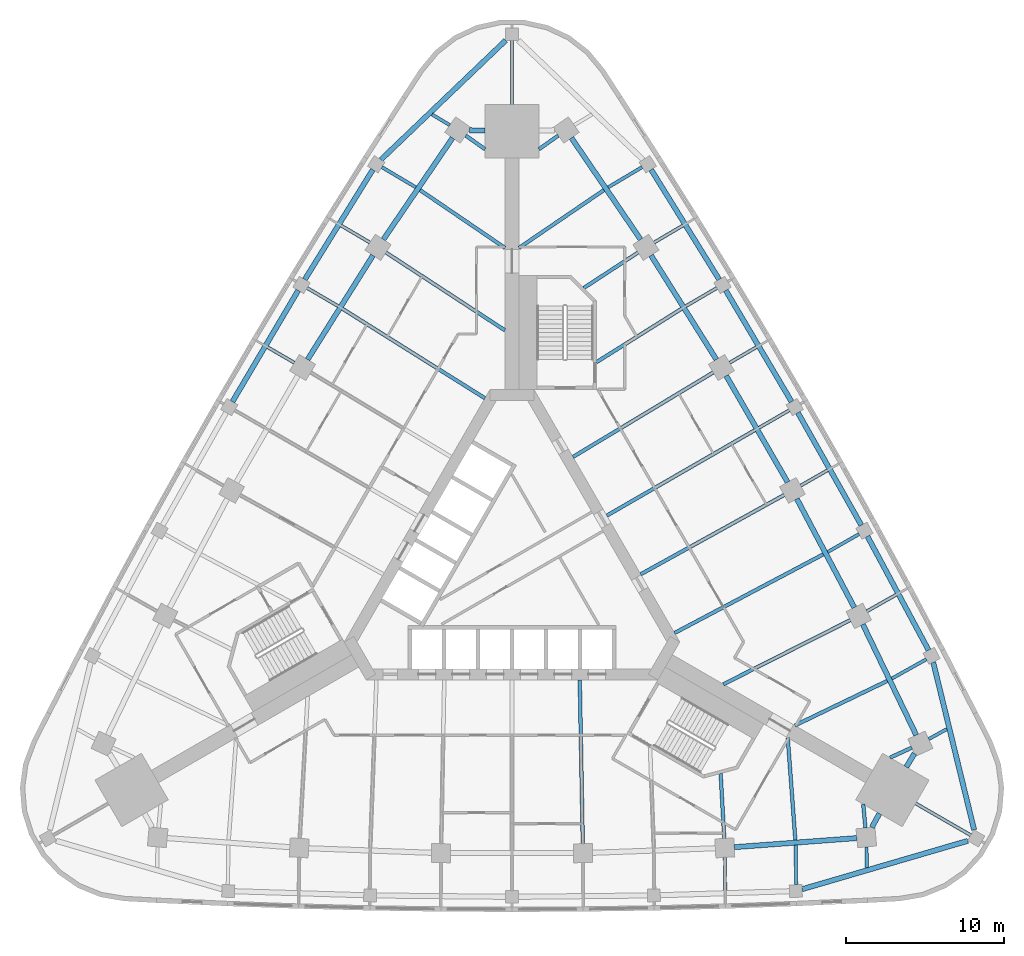
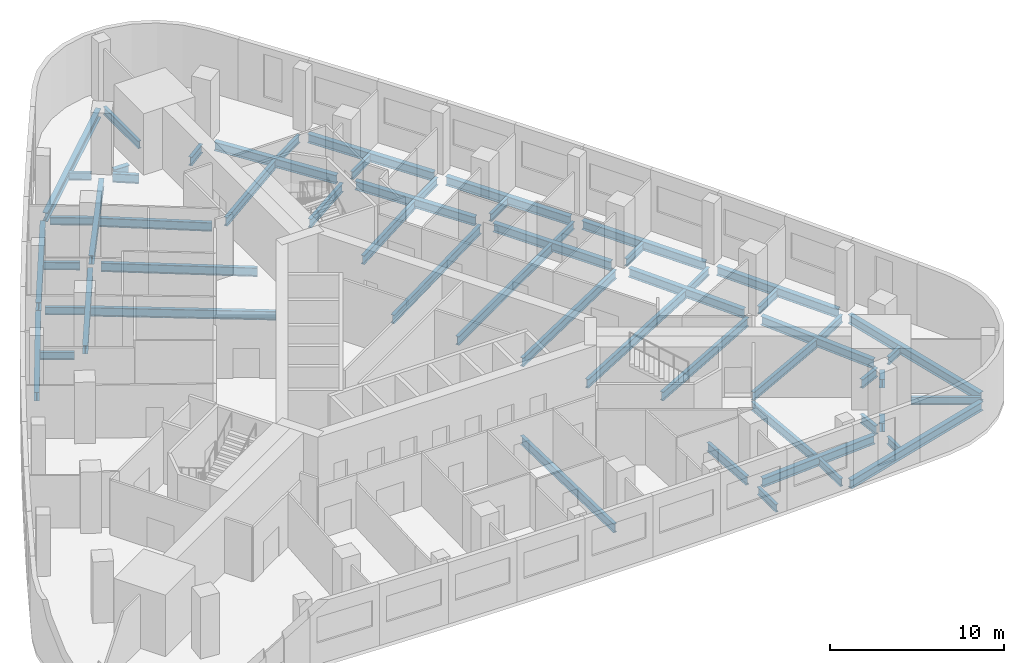
# One storey, part 2 of 11: 59 beams.
"""IFC4 building model written with IfcOpenShell, lengths in metres."""

from ifc_helpers import new_model, si_unit, direction, frame, origin, origin_2d, place, context, subcontext, project, spatial, i_section, extrude, material, material_profile, profile_set, type_object, element, save


model = new_model("IFC4")

# Units and contexts
model_context = context("Model", 3, precision=1e-05, world=origin(), true_north=direction((0.0, 1.0)))
body_context = subcontext(model_context, "Body", "Model", "MODEL_VIEW")
ifc_project = project(units=[si_unit("LENGTHUNIT", "METRE"), si_unit("AREAUNIT", "SQUARE_METRE"), si_unit("VOLUMEUNIT", "CUBIC_METRE"), si_unit("PLANEANGLEUNIT", "RADIAN"), si_unit("MASSUNIT", "GRAM", prefix="KILO")], contexts=[model_context])

# Site, building, storey
site_placement = place(None, origin())
site = spatial("IfcSite", under=ifc_project, at=site_placement, CompositionType="ELEMENT")
building_placement = place(site_placement, origin())
building = spatial("IfcBuilding", under=site, at=building_placement, Name="Noor Cloister Tower", CompositionType="ELEMENT")
storey_placement = place(building_placement, frame((0.0, 0.0, 19.5)))
storey = spatial("IfcBuildingStorey", under=building, at=storey_placement, Name="L04", CompositionType="ELEMENT", Elevation=19.5)

# Beams
ifc_material_1 = material(Name="Steel ASTM A992 Gr 50", Category="steel")
ifc_material_profile_1 = material_profile(ifc_material_1, i_section(OverallWidth=0.324951171875, OverallDepth=0.612060546875, WebThickness=0.0126953125, FlangeThickness=0.01904296875, FilletRadius=0.0126953125, at=origin_2d()), Name="W610x155")
ifc_profile_set_1 = profile_set([ifc_material_profile_1], Name="Steel ASTM A992 Gr 50")
beam_type_1 = type_object("IfcBeamType", Name="Podium column line beam W610x155", PredefinedType="BEAM", material=ifc_profile_set_1)
for number, where, z_axis, x_axis, name in (
    (1, (-3.7587890625, 27.36376953125, -0.555908203125), (-0.562836146896, -0.826568491867, 0.0), (0.826568491867, -0.562836146896, 0.0), "Podium column line beam NW 00 L04"),
    (2, (-8.7939453125, 19.9296875, -0.555908203125), (-0.531794830589, -0.846873224373, 0.0), (0.846873224373, -0.531794830589, 0.0), "Podium column line beam NW 02 L04"),
):
    element("IfcBeam", number, at=place(storey_placement, frame(where, z_axis=z_axis, x_axis=x_axis)), inside=storey, type_object=beam_type_1, Name=name, PredefinedType="BEAM", context=body_context, shape_type="SweptSolid", body=[
        extrude(i_section(OverallWidth=0.324951171875, OverallDepth=0.612060546875, WebThickness=0.0126953125, FlangeThickness=0.01904296875, FilletRadius=0.0126953125, at=origin_2d()), origin(), (0.0, 0.0, 1.0), 7.77880859375),
    ])
beam_1_placement = place(storey_placement, frame((14.060791015625, -17.513916015625, -0.555908203125), z_axis=(0.997246218275, 0.074161850945, 0.0), x_axis=(-0.074161850945, 0.997246218275, 0.0)))
element("IfcBeam", 3, at=beam_1_placement, inside=storey, type_object=beam_type_1, Name="Podium column line beam S 08 L04", PredefinedType="BEAM", context=body_context, shape_type="SweptSolid", body=[
    extrude(i_section(OverallWidth=0.324951171875, OverallDepth=0.612060546875, WebThickness=0.0126953125, FlangeThickness=0.01904296875, FilletRadius=0.0126953125, at=origin_2d()), origin(), (0.0, 0.0, 1.0), 7.779052734375),
])
for number, where, z_axis, x_axis, name in (
    (4, (25.5771484375, -10.4267578125, -0.555908203125), (-0.434400589533, 0.900719783181, 0.0), (-0.900719783181, -0.434400589533, 0.0), "Podium column line beam NE 00 L04"),
    (5, (21.65673828125, -2.34912109375, -0.555908203125), (-0.467547366886, 0.883968019624, 0.0), (-0.883968019624, -0.467547366886, 0.0), "Podium column line beam NE 02 L04"),
):
    element("IfcBeam", number, at=place(storey_placement, frame(where, z_axis=z_axis, x_axis=x_axis)), inside=storey, type_object=beam_type_1, Name=name, PredefinedType="BEAM", context=body_context, shape_type="SweptSolid", body=[
        extrude(i_section(OverallWidth=0.324951171875, OverallDepth=0.612060546875, WebThickness=0.0126953125, FlangeThickness=0.01904296875, FilletRadius=0.0126953125, at=origin_2d()), origin(), (0.0, 0.0, 1.0), 7.77880859375),
    ])
beam_2_placement = place(storey_placement, frame((17.439208984375, 5.577392578125, -0.555908203125), z_axis=(-0.499990506207, 0.866030884959, 0.0), x_axis=(-0.866030884959, -0.499990506207, 0.0)))
element("IfcBeam", 6, at=beam_2_placement, inside=storey, type_object=beam_type_1, Name="Podium column line beam NE 04 L04", PredefinedType="BEAM", context=body_context, shape_type="SweptSolid", body=[
    extrude(i_section(OverallWidth=0.324951171875, OverallDepth=0.612060546875, WebThickness=0.0126953125, FlangeThickness=0.01904296875, FilletRadius=0.0126953125, at=origin_2d()), origin(), (0.0, 0.0, 1.0), 7.779052734375),
])
for number, where, z_axis, x_axis, name in (
    (7, (12.9306640625, 13.342041015625, -0.555908203125), (-0.531794830589, 0.846873224373, 0.0), (-0.846873224373, -0.531794830589, 0.0), "Podium column line beam NE 06 L04"),
    (8, (8.136962890625, 20.93408203125, -0.555908203125), (-0.562836146896, 0.826568491867, 0.0), (-0.826568491867, -0.562836146896, 0.0), "Podium column line beam NE 08 L04"),
):
    element("IfcBeam", number, at=place(storey_placement, frame(where, z_axis=z_axis, x_axis=x_axis)), inside=storey, type_object=beam_type_1, Name=name, PredefinedType="BEAM", context=body_context, shape_type="SweptSolid", body=[
        extrude(i_section(OverallWidth=0.324951171875, OverallDepth=0.612060546875, WebThickness=0.0126953125, FlangeThickness=0.01904296875, FilletRadius=0.0126953125, at=origin_2d()), origin(), (0.0, 0.0, 1.0), 7.77880859375),
    ])
for number, where, z_axis, x_axis, name in (
    (9, (-2.6962890625, 27.8447265625, -0.555908203125), (0.999788233423, -0.020578831563, 0.0), (0.020578831563, 0.999788233423, 0.0), "Podium end beam NW 00 L04"),
    (10, (22.76611328125, -16.257568359375, -0.555908203125), (0.48185292196, 0.876252110753, 0.0), (-0.876252110753, 0.48185292196, 0.0), "Podium end beam S 10 L04"),
    (11, (25.46240234375, -11.58740234375, -0.555908203125), (-0.517698861359, -0.855562907651, 0.0), (0.855562907651, -0.517698861359, 0.0), "Podium end beam NE 00 L04"),
):
    element("IfcBeam", number, at=place(storey_placement, frame(where, z_axis=z_axis, x_axis=x_axis)), inside=storey, type_object=beam_type_1, Name=name, PredefinedType="BEAM", context=body_context, shape_type="SweptSolid", body=[
        extrude(i_section(OverallWidth=0.324951171875, OverallDepth=0.612060546875, WebThickness=0.0126953125, FlangeThickness=0.01904296875, FilletRadius=0.0126953125, at=origin_2d()), origin(), (0.0, 0.0, 1.0), 0.99658203125),
    ])
ifc_material_2 = material(Name="Steel ASTM A992 Gr 50", Category="steel")
ifc_material_profile_2 = material_profile(ifc_material_2, i_section(OverallWidth=0.324951171875, OverallDepth=0.616943359375, WebThickness=0.013916015625, FlangeThickness=0.021484375, FilletRadius=0.0126953125, at=origin_2d()), Name="W610x174")
ifc_profile_set_2 = profile_set([ifc_material_profile_2], Name="Steel ASTM A992 Gr 50")
beam_type_2 = type_object("IfcBeamType", Name="Podium perimeter beam W610x174", PredefinedType="BEAM", material=ifc_profile_set_2)
beam_3_placement = place(storey_placement, frame((-0.39990234375, 33.530517578125, -0.55859375), z_axis=(-0.722642827837, -0.691221631154, 0.0), x_axis=(0.691221631154, -0.722642827837, 0.0)))
element("IfcBeam", 12, at=beam_3_placement, inside=storey, type_object=beam_type_2, Name="Podium perimeter beam 01 L04", PredefinedType="BEAM", context=body_context, shape_type="SweptSolid", body=[
    extrude(i_section(OverallWidth=0.324951171875, OverallDepth=0.616943359375, WebThickness=0.013916015625, FlangeThickness=0.021484375, FilletRadius=0.0126953125, at=origin_2d()), origin(), (0.0, 0.0, 1.0), 10.924560546875),
])
beam_4_placement = place(storey_placement, frame((-8.802978515625, 25.3544921875, -0.55859375), z_axis=(-0.526431670639, -0.85021744051, 0.0), x_axis=(0.85021744051, -0.526431670639, 0.0)))
element("IfcBeam", 13, at=beam_4_placement, inside=storey, type_object=beam_type_2, Name="Podium perimeter beam 02 L04", PredefinedType="BEAM", context=body_context, shape_type="SweptSolid", body=[
    extrude(i_section(OverallWidth=0.324951171875, OverallDepth=0.616943359375, WebThickness=0.013916015625, FlangeThickness=0.021484375, FilletRadius=0.0126953125, at=origin_2d()), origin(), (0.0, 0.0, 1.0), 8.180419921875),
])
beam_5_placement = place(storey_placement, frame((-13.5234375, 17.71484375, -0.55859375), z_axis=(-0.508871084259, -0.860842738022, 0.0), x_axis=(0.860842738022, -0.508871084259, 0.0)))
element("IfcBeam", 14, at=beam_5_placement, inside=storey, type_object=beam_type_2, Name="Podium perimeter beam 03 L04", PredefinedType="BEAM", context=body_context, shape_type="SweptSolid", body=[
    extrude(i_section(OverallWidth=0.324951171875, OverallDepth=0.616943359375, WebThickness=0.013916015625, FlangeThickness=0.021484375, FilletRadius=0.0126953125, at=origin_2d()), origin(), (0.0, 0.0, 1.0), 8.18017578125),
])
for number, where, z_axis, x_axis, name in (
    (15, (18.3515625, -20.1728515625, -0.55859375), (0.959935397728, 0.280221398522, 0.0), (-0.280221398522, 0.959935397728, 0.0), "Podium perimeter beam 12 L04"),
    (16, (29.23828125, -16.4189453125, -0.55859375), (-0.237289539542, 0.971438971024, 0.0), (-0.971438971024, -0.237289539542, 0.0), "Podium perimeter beam 13 L04"),
):
    element("IfcBeam", number, at=place(storey_placement, frame(where, z_axis=z_axis, x_axis=x_axis)), inside=storey, type_object=beam_type_2, Name=name, PredefinedType="BEAM", context=body_context, shape_type="SweptSolid", body=[
        extrude(i_section(OverallWidth=0.324951171875, OverallDepth=0.616943359375, WebThickness=0.013916015625, FlangeThickness=0.021484375, FilletRadius=0.0126953125, at=origin_2d()), origin(), (0.0, 0.0, 1.0), 10.924560546875),
    ])
for number, where, z_axis, x_axis, name in (
    (17, (26.35888671875, -5.0537109375, -0.55859375), (-0.47307258725, 0.881023454394, 0.0), (-0.881023454394, -0.47307258725, 0.0), "Podium perimeter beam 14 L04"),
    (18, (22.103271484375, 2.854248046875, -0.55859375), (-0.491071539523, 0.871119247331, 0.0), (-0.871119247331, -0.491071539523, 0.0), "Podium perimeter beam 15 L04"),
    (19, (17.68603515625, 10.673095703125, -0.55859375), (-0.508871084259, 0.860842738022, 0.0), (-0.860842738022, -0.508871084259, 0.0), "Podium perimeter beam 16 L04"),
):
    element("IfcBeam", number, at=place(storey_placement, frame(where, z_axis=z_axis, x_axis=x_axis)), inside=storey, type_object=beam_type_2, Name=name, PredefinedType="BEAM", context=body_context, shape_type="SweptSolid", body=[
        extrude(i_section(OverallWidth=0.324951171875, OverallDepth=0.616943359375, WebThickness=0.013916015625, FlangeThickness=0.021484375, FilletRadius=0.0126953125, at=origin_2d()), origin(), (0.0, 0.0, 1.0), 8.18017578125),
    ])
beam_6_placement = place(storey_placement, frame((13.109375, 18.3994140625, -0.55859375), z_axis=(-0.526431670639, 0.85021744051, 0.0), x_axis=(-0.85021744051, -0.526431670639, 0.0)))
element("IfcBeam", 20, at=beam_6_placement, inside=storey, type_object=beam_type_2, Name="Podium perimeter beam 17 L04", PredefinedType="BEAM", context=body_context, shape_type="SweptSolid", body=[
    extrude(i_section(OverallWidth=0.324951171875, OverallDepth=0.616943359375, WebThickness=0.013916015625, FlangeThickness=0.021484375, FilletRadius=0.0126953125, at=origin_2d()), origin(), (0.0, 0.0, 1.0), 8.180419921875),
])
ifc_material_3 = material(Name="Steel ASTM A992 Gr 50", Category="steel")
ifc_material_profile_3 = material_profile(ifc_material_3, i_section(OverallWidth=0.22900390625, OverallDepth=0.612060546875, WebThickness=0.011962890625, FlangeThickness=0.01953125, FilletRadius=0.0126953125, at=origin_2d()), Name="W610x125")
ifc_profile_set_3 = profile_set([ifc_material_profile_3], Name="Steel ASTM A992 Gr 50")
beam_type_3 = type_object("IfcBeamType", Name="Podium radial beam W610x125", PredefinedType="BEAM", material=ifc_profile_set_3)
beam_7_placement = place(storey_placement, frame((-2.931396484375, 27.512939453125, -0.555908203125), z_axis=(0.816011763041, -0.578035295271, 0.0), x_axis=(0.578035295271, 0.816011763041, 0.0)))
element("IfcBeam", 21, at=beam_7_placement, inside=storey, type_object=beam_type_3, Name="Podium radial beam NW 00 L04", PredefinedType="BEAM", context=body_context, shape_type="SweptSolid", body=[
    extrude(i_section(OverallWidth=0.22900390625, OverallDepth=0.612060546875, WebThickness=0.011962890625, FlangeThickness=0.01953125, FilletRadius=0.0126953125, at=origin_2d()), origin(), (0.0, 0.0, 1.0), 1.509033203125),
])
beam_8_placement = place(storey_placement, frame((-5.813720703125, 24.057373046875, -0.555908203125), z_axis=(0.826586958388, -0.562809026423, 0.0), x_axis=(0.562809026423, 0.826586958388, 0.0)))
element("IfcBeam", 22, at=beam_8_placement, inside=storey, type_object=beam_type_3, Name="Podium radial beam NW 01 L04", PredefinedType="BEAM", context=body_context, shape_type="SweptSolid", body=[
    extrude(i_section(OverallWidth=0.22900390625, OverallDepth=0.612060546875, WebThickness=0.011962890625, FlangeThickness=0.01953125, FilletRadius=0.0126953125, at=origin_2d()), origin(), (0.0, 0.0, 1.0), 6.489013671875),
])
beam_9_placement = place(storey_placement, frame((-7.97265625, 20.109619140625, -0.555908203125), z_axis=(0.836869601911, -0.547402292101, 0.0), x_axis=(0.547402292101, 0.836869601911, 0.0)))
element("IfcBeam", 23, at=beam_9_placement, inside=storey, type_object=beam_type_3, Name="Podium radial beam NW 02 L04", PredefinedType="BEAM", context=body_context, shape_type="SweptSolid", body=[
    extrude(i_section(OverallWidth=0.22900390625, OverallDepth=0.612060546875, WebThickness=0.011962890625, FlangeThickness=0.01953125, FilletRadius=0.0126953125, at=origin_2d()), origin(), (0.0, 0.0, 1.0), 8.989013671875),
])
beam_10_placement = place(storey_placement, frame((-10.724609375, 16.549560546875, -0.555908203125), z_axis=(0.846875091453, -0.531791857287, 0.0), x_axis=(0.531791857287, 0.846875091453, 0.0)))
element("IfcBeam", 24, at=beam_10_placement, inside=storey, type_object=beam_type_3, Name="Podium radial beam NW 03 L04", PredefinedType="BEAM", context=body_context, shape_type="SweptSolid", body=[
    extrude(i_section(OverallWidth=0.22900390625, OverallDepth=0.612060546875, WebThickness=0.011962890625, FlangeThickness=0.01953125, FilletRadius=0.0126953125, at=origin_2d()), origin(), (0.0, 0.0, 1.0), 10.6416015625),
])
beam_11_placement = place(storey_placement, frame((4.478515625, -17.29150390625, -0.555908203125), z_axis=(-0.018560692037, 0.999827735518, 0.0), x_axis=(-0.999827735518, -0.018560692037, 0.0)))
element("IfcBeam", 25, at=beam_11_placement, inside=storey, type_object=beam_type_3, Name="Podium radial beam S 06 L04", PredefinedType="BEAM", context=body_context, shape_type="SweptSolid", body=[
    extrude(i_section(OverallWidth=0.22900390625, OverallDepth=0.612060546875, WebThickness=0.011962890625, FlangeThickness=0.01953125, FilletRadius=0.0126953125, at=origin_2d()), origin(), (0.0, 0.0, 1.0), 10.364990234375),
])
beam_12_placement = place(storey_placement, frame((13.428955078125, -16.959228515625, -0.555908203125), z_axis=(-0.055591728913, 0.998453584137, 0.0), x_axis=(-0.998453584137, -0.055591728913, 0.0)))
element("IfcBeam", 26, at=beam_12_placement, inside=storey, type_object=beam_type_3, Name="Podium radial beam S 08 L04", PredefinedType="BEAM", context=body_context, shape_type="SweptSolid", body=[
    extrude(i_section(OverallWidth=0.22900390625, OverallDepth=0.612060546875, WebThickness=0.011962890625, FlangeThickness=0.01953125, FilletRadius=0.0126953125, at=origin_2d()), origin(), (0.0, 0.0, 1.0), 4.110595703125),
])
beam_13_placement = place(storey_placement, frame((17.927490234375, -17.0634765625, -0.555908203125), z_axis=(-0.074118366359, 0.997249451125, 0.0), x_axis=(-0.997249451125, -0.074118366359, 0.0)))
element("IfcBeam", 27, at=beam_13_placement, inside=storey, type_object=beam_type_3, Name="Podium radial beam S 09 L04", PredefinedType="BEAM", context=body_context, shape_type="SweptSolid", body=[
    extrude(i_section(OverallWidth=0.22900390625, OverallDepth=0.612060546875, WebThickness=0.011962890625, FlangeThickness=0.01953125, FilletRadius=0.0126953125, at=origin_2d()), origin(), (0.0, 0.0, 1.0), 6.489013671875),
])
for number, where, z_axis, x_axis, name in (
    (28, (22.361328125, -16.295166015625, -0.555908203125), (-0.09269423525, 0.995694621233, 0.0), (-0.995694621233, -0.09269423525, 0.0), "Podium radial beam S 10 L04"),
    (29, (25.292724609375, -11.2177734375, -0.555908203125), (-0.908602193803, -0.417662607157, 0.0), (0.417662607157, -0.908602193803, 0.0), "Podium radial beam NE 00 L04"),
):
    element("IfcBeam", number, at=place(storey_placement, frame(where, z_axis=z_axis, x_axis=x_axis)), inside=storey, type_object=beam_type_3, Name=name, PredefinedType="BEAM", context=body_context, shape_type="SweptSolid", body=[
        extrude(i_section(OverallWidth=0.22900390625, OverallDepth=0.612060546875, WebThickness=0.011962890625, FlangeThickness=0.01953125, FilletRadius=0.0126953125, at=origin_2d()), origin(), (0.0, 0.0, 1.0), 1.50927734375),
    ])
beam_14_placement = place(storey_placement, frame((23.7412109375, -6.993896484375, -0.555908203125), z_axis=(-0.900702438264, -0.43443655199, 0.0), x_axis=(0.43443655199, -0.900702438264, 0.0)))
element("IfcBeam", 30, at=beam_14_placement, inside=storey, type_object=beam_type_3, Name="Podium radial beam NE 01 L04", PredefinedType="BEAM", context=body_context, shape_type="SweptSolid", body=[
    extrude(i_section(OverallWidth=0.22900390625, OverallDepth=0.612060546875, WebThickness=0.011962890625, FlangeThickness=0.01953125, FilletRadius=0.0126953125, at=origin_2d()), origin(), (0.0, 0.0, 1.0), 6.489013671875),
])
beam_15_placement = place(storey_placement, frame((21.401611328125, -3.150146484375, -0.555908203125), z_axis=(-0.892490546955, -0.451066096705, 0.0), x_axis=(0.451066096705, -0.892490546955, 0.0)))
element("IfcBeam", 31, at=beam_15_placement, inside=storey, type_object=beam_type_3, Name="Podium radial beam NE 02 L04", PredefinedType="BEAM", context=body_context, shape_type="SweptSolid", body=[
    extrude(i_section(OverallWidth=0.22900390625, OverallDepth=0.612060546875, WebThickness=0.011962890625, FlangeThickness=0.01953125, FilletRadius=0.0126953125, at=origin_2d()), origin(), (0.0, 0.0, 1.0), 8.989013671875),
])
beam_16_placement = place(storey_placement, frame((19.694580078125, 1.01318359375, -0.555908203125), z_axis=(-0.883975349121, -0.467533509116, 0.0), x_axis=(0.467533509116, -0.883975349121, 0.0)))
element("IfcBeam", 32, at=beam_16_placement, inside=storey, type_object=beam_type_3, Name="Podium radial beam NE 03 L04", PredefinedType="BEAM", context=body_context, shape_type="SweptSolid", body=[
    extrude(i_section(OverallWidth=0.22900390625, OverallDepth=0.612060546875, WebThickness=0.011962890625, FlangeThickness=0.01953125, FilletRadius=0.0126953125, at=origin_2d()), origin(), (0.0, 0.0, 1.0), 10.6416015625),
])
beam_17_placement = place(storey_placement, frame((17.214111328125, 4.767333984375, -0.555908203125), z_axis=(-0.875152039929, -0.483848020568, 0.0), x_axis=(0.483848020568, -0.875152039929, 0.0)))
element("IfcBeam", 33, at=beam_17_placement, inside=storey, type_object=beam_type_3, Name="Podium radial beam NE 04 L04", PredefinedType="BEAM", context=body_context, shape_type="SweptSolid", body=[
    extrude(i_section(OverallWidth=0.22900390625, OverallDepth=0.612060546875, WebThickness=0.011962890625, FlangeThickness=0.01953125, FilletRadius=0.0126953125, at=origin_2d()), origin(), (0.0, 0.0, 1.0), 10.364990234375),
])
beam_18_placement = place(storey_placement, frame((15.353759765625, 8.864501953125, -0.555908203125), z_axis=(-0.866025607992, -0.499999646302, 0.0), x_axis=(0.499999646302, -0.866025607992, 0.0)))
element("IfcBeam", 34, at=beam_18_placement, inside=storey, type_object=beam_type_3, Name="Podium radial beam NE 05 L04", PredefinedType="BEAM", context=body_context, shape_type="SweptSolid", body=[
    extrude(i_section(OverallWidth=0.22900390625, OverallDepth=0.612060546875, WebThickness=0.011962890625, FlangeThickness=0.01953125, FilletRadius=0.0126953125, at=origin_2d()), origin(), (0.0, 0.0, 1.0), 10.80078125),
])
beam_19_placement = place(storey_placement, frame((12.73583984375, 12.524169921875, -0.555908203125), z_axis=(-0.856606308575, -0.515970572911, 0.0), x_axis=(0.515970572911, -0.856606308575, 0.0)))
element("IfcBeam", 35, at=beam_19_placement, inside=storey, type_object=beam_type_3, Name="Podium radial beam NE 06 L04", PredefinedType="BEAM", context=body_context, shape_type="SweptSolid", body=[
    extrude(i_section(OverallWidth=0.22900390625, OverallDepth=0.612060546875, WebThickness=0.011962890625, FlangeThickness=0.01953125, FilletRadius=0.0126953125, at=origin_2d()), origin(), (0.0, 0.0, 1.0), 10.365234375),
])
beam_20_placement = place(storey_placement, frame((10.724609375, 16.549560546875, -0.555908203125), z_axis=(-0.846869093356, -0.531801409098, 0.0), x_axis=(0.531801409098, -0.846869093356, 0.0)))
element("IfcBeam", 36, at=beam_20_placement, inside=storey, type_object=beam_type_3, Name="Podium radial beam NE 07 L04", PredefinedType="BEAM", context=body_context, shape_type="SweptSolid", body=[
    extrude(i_section(OverallWidth=0.22900390625, OverallDepth=0.612060546875, WebThickness=0.011962890625, FlangeThickness=0.01953125, FilletRadius=0.0126953125, at=origin_2d()), origin(), (0.0, 0.0, 1.0), 6.36328125),
])
beam_21_placement = place(storey_placement, frame((7.97265625, 20.109619140625, -0.555908203125), z_axis=(-0.836852408304, -0.547428576816, 0.0), x_axis=(0.547428576816, -0.836852408304, 0.0)))
element("IfcBeam", 37, at=beam_21_placement, inside=storey, type_object=beam_type_3, Name="Podium radial beam NE 08 L04", PredefinedType="BEAM", context=body_context, shape_type="SweptSolid", body=[
    extrude(i_section(OverallWidth=0.22900390625, OverallDepth=0.612060546875, WebThickness=0.011962890625, FlangeThickness=0.01953125, FilletRadius=0.0126953125, at=origin_2d()), origin(), (0.0, 0.0, 1.0), 4.110595703125),
])
beam_22_placement = place(storey_placement, frame((5.813720703125, 24.057373046875, -0.555908203125), z_axis=(-0.826586958388, -0.562809026423, 0.0), x_axis=(0.562809026423, -0.826586958388, 0.0)))
element("IfcBeam", 38, at=beam_22_placement, inside=storey, type_object=beam_type_3, Name="Podium radial beam NE 09 L04", PredefinedType="BEAM", context=body_context, shape_type="SweptSolid", body=[
    extrude(i_section(OverallWidth=0.22900390625, OverallDepth=0.612060546875, WebThickness=0.011962890625, FlangeThickness=0.01953125, FilletRadius=0.0126953125, at=origin_2d()), origin(), (0.0, 0.0, 1.0), 6.489013671875),
])
beam_23_placement = place(storey_placement, frame((2.931396484375, 27.512939453125, -0.555908203125), z_axis=(-0.816011763041, -0.578035295271, 0.0), x_axis=(0.578035295271, -0.816011763041, 0.0)))
element("IfcBeam", 39, at=beam_23_placement, inside=storey, type_object=beam_type_3, Name="Podium radial beam NE 10 L04", PredefinedType="BEAM", context=body_context, shape_type="SweptSolid", body=[
    extrude(i_section(OverallWidth=0.22900390625, OverallDepth=0.612060546875, WebThickness=0.011962890625, FlangeThickness=0.01953125, FilletRadius=0.0126953125, at=origin_2d()), origin(), (0.0, 0.0, 1.0), 1.509033203125),
])
ifc_material_4 = material(Name="Steel ASTM A992 Gr 50", Category="steel")
ifc_material_profile_4 = material_profile(ifc_material_4, i_section(OverallWidth=0.208984375, OverallDepth=0.532958984375, WebThickness=0.01025390625, FlangeThickness=0.015625, FilletRadius=0.0126953125, at=origin_2d()), Name="W530x92")
ifc_profile_set_4 = profile_set([ifc_material_profile_4], Name="Steel ASTM A992 Gr 50")
beam_type_4 = type_object("IfcBeamType", Name="Podium stub beam W530x92", PredefinedType="BEAM", material=ifc_profile_set_4)
beam_24_placement = place(storey_placement, frame((-3.936767578125, 28.169921875, -0.5166015625), z_axis=(-0.85703318355, 0.515261217534, 0.0), x_axis=(-0.515261217534, -0.85703318355, 0.0)))
element("IfcBeam", 40, at=beam_24_placement, inside=storey, type_object=beam_type_4, Name="Podium stub beam NW 00 L04", PredefinedType="BEAM", context=body_context, shape_type="SweptSolid", body=[
    extrude(i_section(OverallWidth=0.208984375, OverallDepth=0.532958984375, WebThickness=0.01025390625, FlangeThickness=0.015625, FilletRadius=0.0126953125, at=origin_2d()), origin(), (0.0, 0.0, 1.0), 1.31298828125),
])
beam_25_placement = place(storey_placement, frame((-6.08642578125, 24.234375, -0.5166015625), z_axis=(-0.859392031869, 0.511317255292, 0.0), x_axis=(-0.511317255292, -0.859392031869, 0.0)))
element("IfcBeam", 41, at=beam_25_placement, inside=storey, type_object=beam_type_4, Name="Podium stub beam NW 01 L04", PredefinedType="BEAM", context=body_context, shape_type="SweptSolid", body=[
    extrude(i_section(OverallWidth=0.208984375, OverallDepth=0.532958984375, WebThickness=0.01025390625, FlangeThickness=0.015625, FilletRadius=0.0126953125, at=origin_2d()), origin(), (0.0, 0.0, 1.0), 2.4990234375),
])
beam_26_placement = place(storey_placement, frame((-8.9921875, 20.7431640625, -0.5166015625), z_axis=(-0.861388026726, 0.507947504583, 0.0), x_axis=(-0.507947504583, -0.861388026726, 0.0)))
element("IfcBeam", 42, at=beam_26_placement, inside=storey, type_object=beam_type_4, Name="Podium stub beam NW 02 L04", PredefinedType="BEAM", context=body_context, shape_type="SweptSolid", body=[
    extrude(i_section(OverallWidth=0.208984375, OverallDepth=0.532958984375, WebThickness=0.01025390625, FlangeThickness=0.015625, FilletRadius=0.0126953125, at=origin_2d()), origin(), (0.0, 0.0, 1.0), 2.104736328125),
])
beam_27_placement = place(storey_placement, frame((-11.001953125, 16.71923828125, -0.5166015625), z_axis=(-0.863117063039, 0.505003896511, 0.0), x_axis=(-0.505003896511, -0.863117063039, 0.0)))
element("IfcBeam", 43, at=beam_27_placement, inside=storey, type_object=beam_type_4, Name="Podium stub beam NW 03 L04", PredefinedType="BEAM", context=body_context, shape_type="SweptSolid", body=[
    extrude(i_section(OverallWidth=0.208984375, OverallDepth=0.532958984375, WebThickness=0.01025390625, FlangeThickness=0.015625, FilletRadius=0.0126953125, at=origin_2d()), origin(), (0.0, 0.0, 1.0), 2.277099609375),
])
beam_28_placement = place(storey_placement, frame((-13.7685546875, 13.13525390625, -0.5166015625), z_axis=(-0.864596671595, 0.502466511786, 0.0), x_axis=(-0.502466511786, -0.864596671595, 0.0)))
element("IfcBeam", 44, at=beam_28_placement, inside=storey, type_object=beam_type_4, Name="Podium stub beam NW 04 L04", PredefinedType="BEAM", context=body_context, shape_type="SweptSolid", body=[
    extrude(i_section(OverallWidth=0.208984375, OverallDepth=0.532958984375, WebThickness=0.01025390625, FlangeThickness=0.015625, FilletRadius=0.0126953125, at=origin_2d()), origin(), (0.0, 0.0, 1.0), 1.95703125),
])
beam_29_placement = place(storey_placement, frame((13.468017578125, -18.158935546875, -0.5166015625), z_axis=(0.009163285382, -0.999958016219, 0.0), x_axis=(0.999958016219, 0.009163285382, 0.0)))
element("IfcBeam", 45, at=beam_29_placement, inside=storey, type_object=beam_type_4, Name="Podium stub beam S 08 L04", PredefinedType="BEAM", context=body_context, shape_type="SweptSolid", body=[
    extrude(i_section(OverallWidth=0.208984375, OverallDepth=0.532958984375, WebThickness=0.01025390625, FlangeThickness=0.015625, FilletRadius=0.0126953125, at=origin_2d()), origin(), (0.0, 0.0, 1.0), 2.104736328125),
])
beam_30_placement = place(storey_placement, frame((17.9443359375, -17.38818359375, -0.5166015625), z_axis=(0.013089929593, -0.999914323201, 0.0), x_axis=(0.999914323201, 0.013089929593, 0.0)))
element("IfcBeam", 46, at=beam_30_placement, inside=storey, type_object=beam_type_4, Name="Podium stub beam S 09 L04", PredefinedType="BEAM", context=body_context, shape_type="SweptSolid", body=[
    extrude(i_section(OverallWidth=0.208984375, OverallDepth=0.532958984375, WebThickness=0.01025390625, FlangeThickness=0.015625, FilletRadius=0.0126953125, at=origin_2d()), origin(), (0.0, 0.0, 1.0), 2.499267578125),
])
beam_31_placement = place(storey_placement, frame((22.427490234375, -17.494140625, -0.5166015625), z_axis=(0.017661803966, -0.999844018175, 0.0), x_axis=(0.999844018175, 0.017661803966, 0.0)))
element("IfcBeam", 47, at=beam_31_placement, inside=storey, type_object=beam_type_4, Name="Podium stub beam S 10 L04", PredefinedType="BEAM", context=body_context, shape_type="SweptSolid", body=[
    extrude(i_section(OverallWidth=0.208984375, OverallDepth=0.532958984375, WebThickness=0.01025390625, FlangeThickness=0.015625, FilletRadius=0.0126953125, at=origin_2d()), origin(), (0.0, 0.0, 1.0), 1.313232421875),
])
beam_32_placement = place(storey_placement, frame((26.3642578125, -10.675537109375, -0.5166015625), z_axis=(0.874735573686, 0.484600532531, 0.0), x_axis=(-0.484600532531, 0.874735573686, 0.0)))
element("IfcBeam", 48, at=beam_32_placement, inside=storey, type_object=beam_type_4, Name="Podium stub beam NE 00 L04", PredefinedType="BEAM", context=body_context, shape_type="SweptSolid", body=[
    extrude(i_section(OverallWidth=0.208984375, OverallDepth=0.532958984375, WebThickness=0.01025390625, FlangeThickness=0.015625, FilletRadius=0.0126953125, at=origin_2d()), origin(), (0.0, 0.0, 1.0), 1.31298828125),
])
beam_33_placement = place(storey_placement, frame((24.03076171875, -6.84619140625, -0.5166015625), z_axis=(0.872502684482, 0.488609317933, 0.0), x_axis=(-0.488609317933, 0.872502684482, 0.0)))
element("IfcBeam", 49, at=beam_33_placement, inside=storey, type_object=beam_type_4, Name="Podium stub beam NE 01 L04", PredefinedType="BEAM", context=body_context, shape_type="SweptSolid", body=[
    extrude(i_section(OverallWidth=0.208984375, OverallDepth=0.532958984375, WebThickness=0.01025390625, FlangeThickness=0.015625, FilletRadius=0.0126953125, at=origin_2d()), origin(), (0.0, 0.0, 1.0), 2.499267578125),
])
beam_34_placement = place(storey_placement, frame((22.460205078125, -2.583984375, -0.5166015625), z_axis=(0.870610366402, 0.491973159748, 0.0), x_axis=(-0.491973159748, 0.870610366402, 0.0)))
element("IfcBeam", 50, at=beam_34_placement, inside=storey, type_object=beam_type_4, Name="Podium stub beam NE 02 L04", PredefinedType="BEAM", context=body_context, shape_type="SweptSolid", body=[
    extrude(i_section(OverallWidth=0.208984375, OverallDepth=0.532958984375, WebThickness=0.01025390625, FlangeThickness=0.015625, FilletRadius=0.0126953125, at=origin_2d()), origin(), (0.0, 0.0, 1.0), 2.1044921875),
])
beam_35_placement = place(storey_placement, frame((19.980224609375, 1.16845703125, -0.5166015625), z_axis=(0.868954795395, 0.494891466446, 0.0), x_axis=(-0.494891466446, 0.868954795395, 0.0)))
element("IfcBeam", 51, at=beam_35_placement, inside=storey, type_object=beam_type_4, Name="Podium stub beam NE 03 L04", PredefinedType="BEAM", context=body_context, shape_type="SweptSolid", body=[
    extrude(i_section(OverallWidth=0.208984375, OverallDepth=0.532958984375, WebThickness=0.01025390625, FlangeThickness=0.015625, FilletRadius=0.0126953125, at=origin_2d()), origin(), (0.0, 0.0, 1.0), 2.277099609375),
])
beam_36_placement = place(storey_placement, frame((18.259765625, 5.356201171875, -0.5166015625), z_axis=(0.867389720101, 0.497629453974, 0.0), x_axis=(-0.497629453974, 0.867389720101, 0.0)))
element("IfcBeam", 52, at=beam_36_placement, inside=storey, type_object=beam_type_4, Name="Podium stub beam NE 04 L04", PredefinedType="BEAM", context=body_context, shape_type="SweptSolid", body=[
    extrude(i_section(OverallWidth=0.208984375, OverallDepth=0.532958984375, WebThickness=0.01025390625, FlangeThickness=0.015625, FilletRadius=0.0126953125, at=origin_2d()), origin(), (0.0, 0.0, 1.0), 1.95703125),
])
beam_37_placement = place(storey_placement, frame((15.63525390625, 9.027099609375, -0.5166015625), z_axis=(0.86602503688, 0.500000635496, 0.0), x_axis=(-0.500000635496, 0.86602503688, 0.0)))
element("IfcBeam", 53, at=beam_37_placement, inside=storey, type_object=beam_type_4, Name="Podium stub beam NE 05 L04", PredefinedType="BEAM", context=body_context, shape_type="SweptSolid", body=[
    extrude(i_section(OverallWidth=0.208984375, OverallDepth=0.532958984375, WebThickness=0.01025390625, FlangeThickness=0.015625, FilletRadius=0.0126953125, at=origin_2d()), origin(), (0.0, 0.0, 1.0), 2.203125),
])
beam_38_placement = place(storey_placement, frame((13.7685546875, 13.13525390625, -0.5166015625), z_axis=(0.864596671595, 0.502466511786, 0.0), x_axis=(-0.502466511786, 0.864596671595, 0.0)))
element("IfcBeam", 54, at=beam_38_placement, inside=storey, type_object=beam_type_4, Name="Podium stub beam NE 06 L04", PredefinedType="BEAM", context=body_context, shape_type="SweptSolid", body=[
    extrude(i_section(OverallWidth=0.208984375, OverallDepth=0.532958984375, WebThickness=0.01025390625, FlangeThickness=0.015625, FilletRadius=0.0126953125, at=origin_2d()), origin(), (0.0, 0.0, 1.0), 1.95703125),
])
beam_39_placement = place(storey_placement, frame((11.001953125, 16.71923828125, -0.5166015625), z_axis=(0.863117063039, 0.505003896511, 0.0), x_axis=(-0.505003896511, 0.863117063039, 0.0)))
element("IfcBeam", 55, at=beam_39_placement, inside=storey, type_object=beam_type_4, Name="Podium stub beam NE 07 L04", PredefinedType="BEAM", context=body_context, shape_type="SweptSolid", body=[
    extrude(i_section(OverallWidth=0.208984375, OverallDepth=0.532958984375, WebThickness=0.01025390625, FlangeThickness=0.015625, FilletRadius=0.0126953125, at=origin_2d()), origin(), (0.0, 0.0, 1.0), 2.277099609375),
])
beam_40_placement = place(storey_placement, frame((8.9921875, 20.7431640625, -0.5166015625), z_axis=(0.861388026726, 0.507947504583, 0.0), x_axis=(-0.507947504583, 0.861388026726, 0.0)))
element("IfcBeam", 56, at=beam_40_placement, inside=storey, type_object=beam_type_4, Name="Podium stub beam NE 08 L04", PredefinedType="BEAM", context=body_context, shape_type="SweptSolid", body=[
    extrude(i_section(OverallWidth=0.208984375, OverallDepth=0.532958984375, WebThickness=0.01025390625, FlangeThickness=0.015625, FilletRadius=0.0126953125, at=origin_2d()), origin(), (0.0, 0.0, 1.0), 2.104736328125),
])
beam_41_placement = place(storey_placement, frame((6.08642578125, 24.234375, -0.5166015625), z_axis=(0.859392031869, 0.511317255292, 0.0), x_axis=(-0.511317255292, 0.859392031869, 0.0)))
element("IfcBeam", 57, at=beam_41_placement, inside=storey, type_object=beam_type_4, Name="Podium stub beam NE 09 L04", PredefinedType="BEAM", context=body_context, shape_type="SweptSolid", body=[
    extrude(i_section(OverallWidth=0.208984375, OverallDepth=0.532958984375, WebThickness=0.01025390625, FlangeThickness=0.015625, FilletRadius=0.0126953125, at=origin_2d()), origin(), (0.0, 0.0, 1.0), 2.4990234375),
])
for number, where, z_axis, x_axis, name in (
    (58, (0.0, 29.489013671875, -0.5166015625), (0.0, 1.0, 0.0), (-1.0, 0.0, 0.0), "Podium corner stub beam N L04"),
    (59, (25.538330078125, -14.744384765625, -0.5166015625), (0.866001699761, -0.500041054325, 0.0), (0.500041054325, 0.866001699761, 0.0), "Podium corner stub beam SE L04"),
):
    element("IfcBeam", number, at=place(storey_placement, frame(where, z_axis=z_axis, x_axis=x_axis)), inside=storey, type_object=beam_type_4, Name=name, PredefinedType="BEAM", context=body_context, shape_type="SweptSolid", body=[
        extrude(i_section(OverallWidth=0.208984375, OverallDepth=0.532958984375, WebThickness=0.01025390625, FlangeThickness=0.015625, FilletRadius=0.0126953125, at=origin_2d()), origin(), (0.0, 0.0, 1.0), 4.024169921875),
    ])

save(model, "model.ifc")
